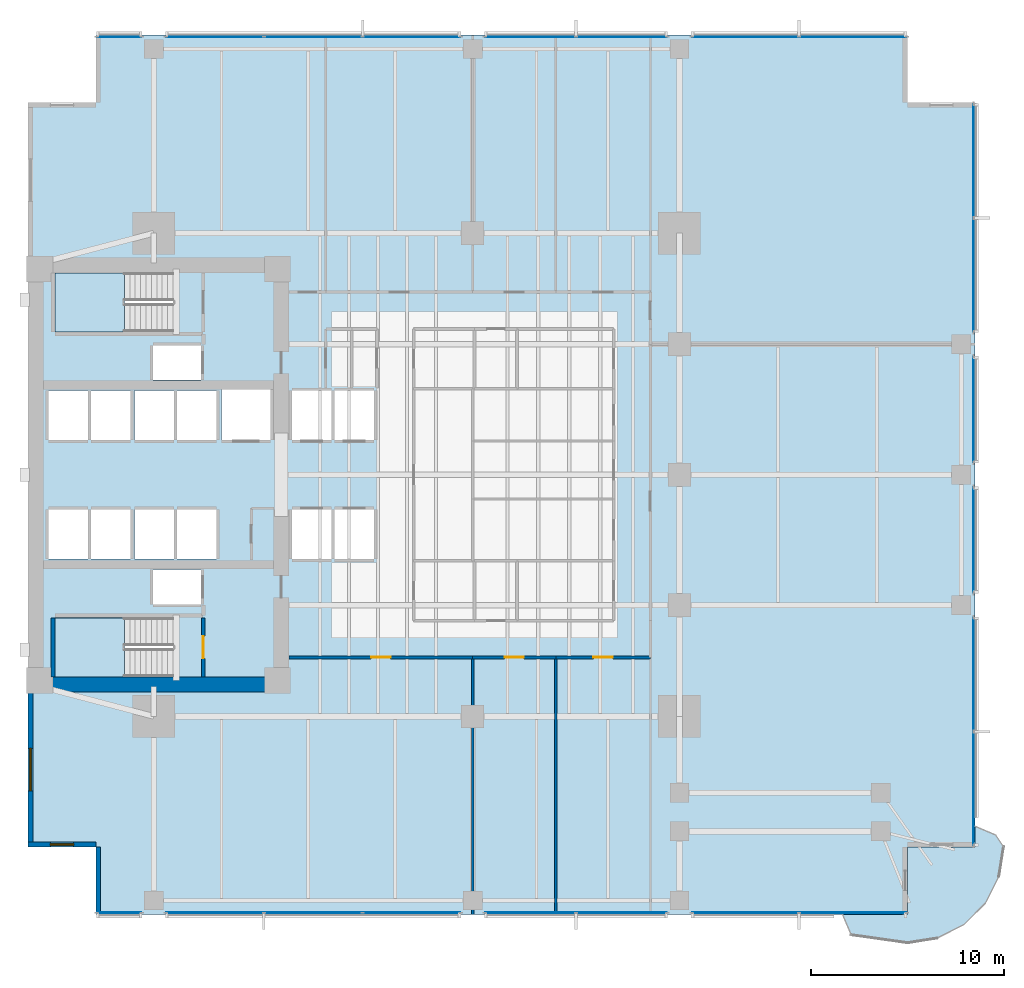
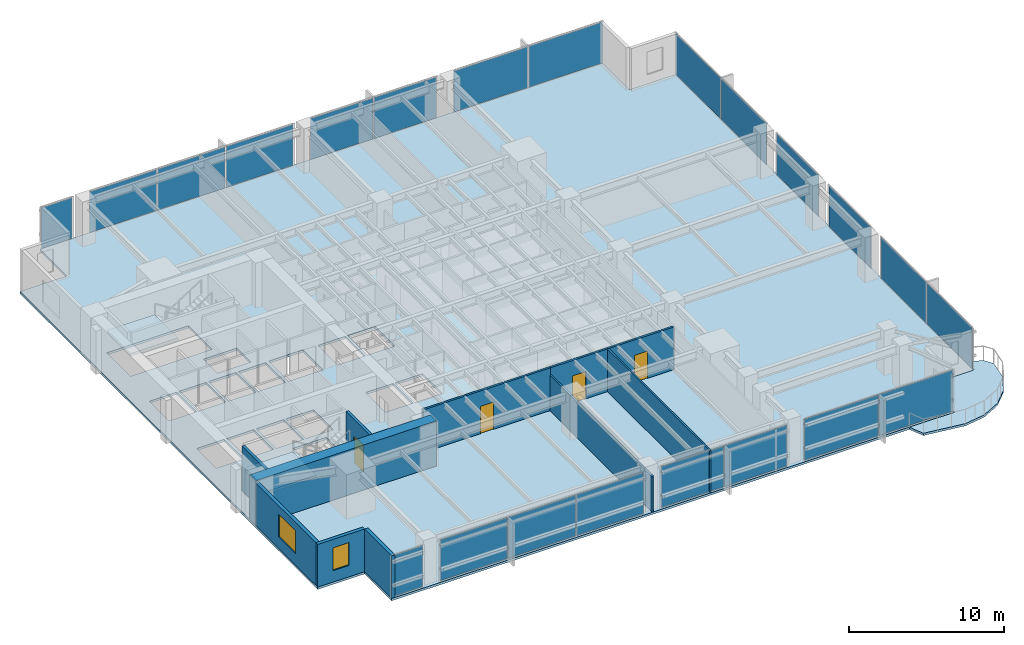
# One storey, part 7 of 15: 22 plates, 11 walls, 4 doors, 4 slabs, 2 windows, 6 openings, 14 elements without a shape of their own.
"""IFC4 building model written with IfcOpenShell, lengths in metres."""

from ifc_helpers import new_model, si_unit, direction, frame, frame_2d, origin, origin_2d, place, context, subcontext, project, spatial, polyline, rectangle, outline, extrude, material, layer, layer_set, type_object, element, fill, aggregate, save


model = new_model("IFC4")

# Units and contexts
model_context = context("Model", 3, precision=1e-05, world=origin(), true_north=direction((0.0, 1.0)))
body_context = subcontext(model_context, "Body", "Model", "MODEL_VIEW")
ifc_project = project(units=[si_unit("LENGTHUNIT", "METRE"), si_unit("AREAUNIT", "SQUARE_METRE"), si_unit("VOLUMEUNIT", "CUBIC_METRE"), si_unit("PLANEANGLEUNIT", "RADIAN"), si_unit("MASSUNIT", "GRAM", prefix="KILO")], contexts=[model_context])

# Site, building, storey
site_placement = place(None, origin())
site = spatial("IfcSite", under=ifc_project, at=site_placement, CompositionType="ELEMENT")
building_placement = place(site_placement, origin())
building = spatial("IfcBuilding", under=site, at=building_placement, Name="Kinhvarn Gate Tower", CompositionType="ELEMENT")
storey_placement = place(building_placement, frame((0.0, 0.0, 75.300048828125)))
storey = spatial("IfcBuildingStorey", under=building, at=storey_placement, Name="L19", CompositionType="ELEMENT", Elevation=75.300048828125)

# Curtain wall, plate
ifc_material_1 = material(Name="Anodised aluminium AW-6063", Category="aluminium")
ifc_layer_1 = layer(ifc_material_1, 0.179931640625)
ifc_layer_set_1 = layer_set([ifc_layer_1], Name="Anodised aluminium AW-6063")
curtain_wall_type = type_object("IfcCurtainWallType", Name="CW-SYS-2", PredefinedType="NOTDEFINED", material=ifc_layer_set_1)
curtain_wall_1_placement = place(storey_placement, origin())
curtain_wall_1 = element("IfcCurtainWall", 1, at=curtain_wall_1_placement, inside=storey, type_object=curtain_wall_type, Name="Curtain Wall CW2 (L19)", PredefinedType="NOTDEFINED")
ifc_material_2 = material(Name="Clear low-e double glazing", Category="glass")
ifc_layer_2 = layer(ifc_material_2, 0.031982421875)
ifc_layer_set_2 = layer_set([ifc_layer_2], Name="Clear low-e double glazing")
plate_type = type_object("IfcPlateType", Name="CW-PNL-VIS", PredefinedType="CURTAIN_PANEL", material=ifc_layer_set_2)
plate_1_placement = place(storey_placement, frame((9.2099609375, 2.590087890625, 0.070068359375), z_axis=(0.0, 0.0, 1.0), x_axis=(1.0, 0.0, 0.0)))
plate_1 = element("IfcPlate", 2, at=plate_1_placement, type_object=plate_type, Name="CW2 panel 1.1", PredefinedType="CURTAIN_PANEL", context=body_context, shape_type="SweptSolid", body=[
    extrude(rectangle(XDim=2.280029296875, YDim=0.031982421875, at=origin_2d()), origin(), (0.0, 0.0, 1.0), 3.22998046875),
])
aggregate(curtain_wall_1, [plate_1])

# Curtain wall, plates
curtain_wall_2_placement = place(storey_placement, origin())
curtain_wall_2 = element("IfcCurtainWall", 3, at=curtain_wall_2_placement, inside=storey, type_object=curtain_wall_type, Name="Curtain Wall CW2 (L19)", PredefinedType="NOTDEFINED")
plate_2_placement = place(storey_placement, frame((14.154052734375, 2.590087890625, 0.070068359375), z_axis=(0.0, 0.0, 1.0), x_axis=(1.0, 0.0, 0.0)))
plate_2 = element("IfcPlate", 4, at=plate_2_placement, type_object=plate_type, Name="CW2 panel 1.1", PredefinedType="CURTAIN_PANEL", context=body_context, shape_type="SweptSolid", body=[
    extrude(rectangle(XDim=5.00830078125, YDim=0.031982421875, at=origin_2d()), origin(), (0.0, 0.0, 1.0), 3.22998046875),
])
plate_3_placement = place(storey_placement, frame((19.25, 2.590087890625, 0.070068359375), z_axis=(0.0, 0.0, 1.0), x_axis=(1.0, 0.0, 0.0)))
plate_3 = element("IfcPlate", 5, at=plate_3_placement, type_object=plate_type, Name="CW2 panel 2.1", PredefinedType="CURTAIN_PANEL", context=body_context, shape_type="SweptSolid", body=[
    extrude(rectangle(XDim=5.043212890625, YDim=0.031982421875, at=origin_2d()), origin(), (0.0, 0.0, 1.0), 3.22998046875),
])
plate_4_placement = place(storey_placement, frame((24.345947265625, 2.590087890625, 0.070068359375), z_axis=(0.0, 0.0, 1.0), x_axis=(1.0, 0.0, 0.0)))
plate_4 = element("IfcPlate", 6, at=plate_4_placement, type_object=plate_type, Name="CW2 panel 3.1", PredefinedType="CURTAIN_PANEL", context=body_context, shape_type="SweptSolid", body=[
    extrude(rectangle(XDim=5.00830078125, YDim=0.031982421875, at=origin_2d()), origin(), (0.0, 0.0, 1.0), 3.22998046875),
])
aggregate(curtain_wall_2, [plate_2, plate_3, plate_4])

curtain_wall_3_placement = place(storey_placement, origin())
curtain_wall_3 = element("IfcCurtainWall", 7, at=curtain_wall_3_placement, inside=storey, type_object=curtain_wall_type, Name="Curtain Wall CW2 (L19)", PredefinedType="NOTDEFINED")
plate_5_placement = place(storey_placement, frame((30.482421875, 2.590087890625, 0.070068359375), z_axis=(0.0, 0.0, 1.0), x_axis=(1.0, 0.0, 0.0)))
plate_5 = element("IfcPlate", 8, at=plate_5_placement, type_object=plate_type, Name="CW2 panel 1.1", PredefinedType="CURTAIN_PANEL", context=body_context, shape_type="SweptSolid", body=[
    extrude(rectangle(XDim=4.6650390625, YDim=0.031982421875, at=origin_2d()), origin(), (0.0, 0.0, 1.0), 3.22998046875),
])
plate_6_placement = place(storey_placement, frame((35.217529296875, 2.590087890625, 0.070068359375), z_axis=(0.0, 0.0, 1.0), x_axis=(1.0, 0.0, 0.0)))
plate_6 = element("IfcPlate", 9, at=plate_6_placement, type_object=plate_type, Name="CW2 panel 2.1", PredefinedType="CURTAIN_PANEL", context=body_context, shape_type="SweptSolid", body=[
    extrude(rectangle(XDim=4.6650390625, YDim=0.031982421875, at=origin_2d()), origin(), (0.0, 0.0, 1.0), 3.22998046875),
])
aggregate(curtain_wall_3, [plate_5, plate_6])

curtain_wall_4_placement = place(storey_placement, origin())
curtain_wall_4 = element("IfcCurtainWall", 10, at=curtain_wall_4_placement, inside=storey, type_object=curtain_wall_type, Name="Curtain Wall CW2 (L19)", PredefinedType="NOTDEFINED")
plate_7_placement = place(storey_placement, frame((41.6025390625, 2.590087890625, 0.070068359375), z_axis=(0.0, 0.0, 1.0), x_axis=(1.0, 0.0, 0.0)))
plate_7 = element("IfcPlate", 11, at=plate_7_placement, type_object=plate_type, Name="CW2 panel 1.1", PredefinedType="CURTAIN_PANEL", context=body_context, shape_type="SweptSolid", body=[
    extrude(rectangle(XDim=5.5048828125, YDim=0.031982421875, at=origin_2d()), origin(), (0.0, 0.0, 1.0), 3.22998046875),
])
plate_8_placement = place(storey_placement, frame((47.177490234375, 2.590087890625, 0.070068359375), z_axis=(0.0, 0.0, 1.0), x_axis=(1.0, 0.0, 0.0)))
plate_8 = element("IfcPlate", 12, at=plate_8_placement, type_object=plate_type, Name="CW2 panel 2.1", PredefinedType="CURTAIN_PANEL", context=body_context, shape_type="SweptSolid", body=[
    extrude(rectangle(XDim=5.5048828125, YDim=0.031982421875, at=origin_2d()), origin(), (0.0, 0.0, 1.0), 3.22998046875),
])
aggregate(curtain_wall_4, [plate_7, plate_8])

curtain_wall_5_placement = place(storey_placement, origin())
curtain_wall_5 = element("IfcCurtainWall", 13, at=curtain_wall_5_placement, inside=storey, type_object=curtain_wall_type, Name="Curtain Wall CW2 (L19)", PredefinedType="NOTDEFINED")
plate_9_placement = place(storey_placement, frame((47.177490234375, 47.909912109375, 0.070068359375), z_axis=(0.0, 0.0, 1.0), x_axis=(-1.0, 0.0, 0.0)))
plate_9 = element("IfcPlate", 14, at=plate_9_placement, type_object=plate_type, Name="CW2 panel 1.1", PredefinedType="CURTAIN_PANEL", context=body_context, shape_type="SweptSolid", body=[
    extrude(rectangle(XDim=5.5048828125, YDim=0.031982421875, at=origin_2d()), origin(), (0.0, 0.0, 1.0), 3.22998046875),
])
plate_10_placement = place(storey_placement, frame((41.6025390625, 47.909912109375, 0.070068359375), z_axis=(0.0, 0.0, 1.0), x_axis=(-1.0, 0.0, 0.0)))
plate_10 = element("IfcPlate", 15, at=plate_10_placement, type_object=plate_type, Name="CW2 panel 2.1", PredefinedType="CURTAIN_PANEL", context=body_context, shape_type="SweptSolid", body=[
    extrude(rectangle(XDim=5.5048828125, YDim=0.031982421875, at=origin_2d()), origin(), (0.0, 0.0, 1.0), 3.22998046875),
])
aggregate(curtain_wall_5, [plate_9, plate_10])

curtain_wall_6_placement = place(storey_placement, origin())
curtain_wall_6 = element("IfcCurtainWall", 16, at=curtain_wall_6_placement, inside=storey, type_object=curtain_wall_type, Name="Curtain Wall CW2 (L19)", PredefinedType="NOTDEFINED")
plate_11_placement = place(storey_placement, frame((35.217529296875, 47.909912109375, 0.070068359375), z_axis=(0.0, 0.0, 1.0), x_axis=(-1.0, 0.0, 0.0)))
plate_11 = element("IfcPlate", 17, at=plate_11_placement, type_object=plate_type, Name="CW2 panel 1.1", PredefinedType="CURTAIN_PANEL", context=body_context, shape_type="SweptSolid", body=[
    extrude(rectangle(XDim=4.6650390625, YDim=0.031982421875, at=origin_2d()), origin(), (0.0, 0.0, 1.0), 3.22998046875),
])
plate_12_placement = place(storey_placement, frame((30.482421875, 47.909912109375, 0.070068359375), z_axis=(0.0, 0.0, 1.0), x_axis=(-1.0, 0.0, 0.0)))
plate_12 = element("IfcPlate", 18, at=plate_12_placement, type_object=plate_type, Name="CW2 panel 2.1", PredefinedType="CURTAIN_PANEL", context=body_context, shape_type="SweptSolid", body=[
    extrude(rectangle(XDim=4.6650390625, YDim=0.031982421875, at=origin_2d()), origin(), (0.0, 0.0, 1.0), 3.22998046875),
])
aggregate(curtain_wall_6, [plate_11, plate_12])

curtain_wall_7_placement = place(storey_placement, origin())
curtain_wall_7 = element("IfcCurtainWall", 19, at=curtain_wall_7_placement, inside=storey, type_object=curtain_wall_type, Name="Curtain Wall CW2 (L19)", PredefinedType="NOTDEFINED")
plate_13_placement = place(storey_placement, frame((24.345947265625, 47.909912109375, 0.070068359375), z_axis=(0.0, 0.0, 1.0), x_axis=(-1.0, 0.0, 0.0)))
plate_13 = element("IfcPlate", 20, at=plate_13_placement, type_object=plate_type, Name="CW2 panel 1.1", PredefinedType="CURTAIN_PANEL", context=body_context, shape_type="SweptSolid", body=[
    extrude(rectangle(XDim=5.00830078125, YDim=0.031982421875, at=origin_2d()), origin(), (0.0, 0.0, 1.0), 3.22998046875),
])
plate_14_placement = place(storey_placement, frame((19.25, 47.909912109375, 0.070068359375), z_axis=(0.0, 0.0, 1.0), x_axis=(-1.0, 0.0, 0.0)))
plate_14 = element("IfcPlate", 21, at=plate_14_placement, type_object=plate_type, Name="CW2 panel 2.1", PredefinedType="CURTAIN_PANEL", context=body_context, shape_type="SweptSolid", body=[
    extrude(rectangle(XDim=5.043212890625, YDim=0.031982421875, at=origin_2d()), origin(), (0.0, 0.0, 1.0), 3.22998046875),
])
plate_15_placement = place(storey_placement, frame((14.154052734375, 47.909912109375, 0.070068359375), z_axis=(0.0, 0.0, 1.0), x_axis=(-1.0, 0.0, 0.0)))
plate_15 = element("IfcPlate", 22, at=plate_15_placement, type_object=plate_type, Name="CW2 panel 3.1", PredefinedType="CURTAIN_PANEL", context=body_context, shape_type="SweptSolid", body=[
    extrude(rectangle(XDim=5.00830078125, YDim=0.031982421875, at=origin_2d()), origin(), (0.0, 0.0, 1.0), 3.22998046875),
])
aggregate(curtain_wall_7, [plate_13, plate_14, plate_15])

# Curtain wall, plate
curtain_wall_8_placement = place(storey_placement, origin())
curtain_wall_8 = element("IfcCurtainWall", 23, at=curtain_wall_8_placement, inside=storey, type_object=curtain_wall_type, Name="Curtain Wall CW2 (L19)", PredefinedType="NOTDEFINED")
plate_16_placement = place(storey_placement, frame((9.2099609375, 47.909912109375, 0.070068359375), z_axis=(0.0, 0.0, 1.0), x_axis=(-1.0, 0.0, 0.0)))
plate_16 = element("IfcPlate", 24, at=plate_16_placement, type_object=plate_type, Name="CW2 panel 1.1", PredefinedType="CURTAIN_PANEL", context=body_context, shape_type="SweptSolid", body=[
    extrude(rectangle(XDim=2.280029296875, YDim=0.031982421875, at=origin_2d()), origin(), (0.0, 0.0, 1.0), 3.22998046875),
])
aggregate(curtain_wall_8, [plate_16])

# Curtain wall, plates
curtain_wall_9_placement = place(storey_placement, origin())
curtain_wall_9 = element("IfcCurtainWall", 25, at=curtain_wall_9_placement, inside=storey, type_object=curtain_wall_type, Name="Curtain Wall CW2 (L19)", PredefinedType="NOTDEFINED")
plate_17_placement = place(storey_placement, frame((53.409912109375, 8.99755859375, 0.070068359375), z_axis=(0.0, 0.0, 1.0), x_axis=(0.0, 1.0, 0.0)))
plate_17 = element("IfcPlate", 26, at=plate_17_placement, type_object=plate_type, Name="CW2 panel 1.1", PredefinedType="CURTAIN_PANEL", context=body_context, shape_type="SweptSolid", body=[
    extrude(rectangle(XDim=5.85498046875, YDim=0.031982421875, at=origin_2d()), origin(), (0.0, 0.0, 1.0), 3.22998046875),
])
plate_18_placement = place(storey_placement, frame((53.409912109375, 14.922607421875, 0.070068359375), z_axis=(0.0, 0.0, 1.0), x_axis=(0.0, 1.0, 0.0)))
plate_18 = element("IfcPlate", 27, at=plate_18_placement, type_object=plate_type, Name="CW2 panel 2.1", PredefinedType="CURTAIN_PANEL", context=body_context, shape_type="SweptSolid", body=[
    extrude(rectangle(XDim=5.85498046875, YDim=0.031982421875, at=origin_2d()), origin(), (0.0, 0.0, 1.0), 3.22998046875),
])
aggregate(curtain_wall_9, [plate_17, plate_18])

# Curtain wall, plate
curtain_wall_10_placement = place(storey_placement, origin())
curtain_wall_10 = element("IfcCurtainWall", 28, at=curtain_wall_10_placement, inside=storey, type_object=curtain_wall_type, Name="Curtain Wall CW2 (L19)", PredefinedType="NOTDEFINED")
plate_19_placement = place(storey_placement, frame((53.409912109375, 21.875, 0.070068359375), z_axis=(0.0, 0.0, 1.0), x_axis=(0.0, 1.0, 0.0)))
plate_19 = element("IfcPlate", 29, at=plate_19_placement, type_object=plate_type, Name="CW2 panel 1.1", PredefinedType="CURTAIN_PANEL", context=body_context, shape_type="SweptSolid", body=[
    extrude(rectangle(XDim=5.449951171875, YDim=0.031982421875, at=origin_2d()), origin(), (0.0, 0.0, 1.0), 3.22998046875),
])
aggregate(curtain_wall_10, [plate_19])

curtain_wall_11_placement = place(storey_placement, origin())
curtain_wall_11 = element("IfcCurtainWall", 30, at=curtain_wall_11_placement, inside=storey, type_object=curtain_wall_type, Name="Curtain Wall CW2 (L19)", PredefinedType="NOTDEFINED")
plate_20_placement = place(storey_placement, frame((53.409912109375, 28.625, 0.070068359375), z_axis=(0.0, 0.0, 1.0), x_axis=(0.0, 1.0, 0.0)))
plate_20 = element("IfcPlate", 31, at=plate_20_placement, type_object=plate_type, Name="CW2 panel 1.1", PredefinedType="CURTAIN_PANEL", context=body_context, shape_type="SweptSolid", body=[
    extrude(rectangle(XDim=5.449951171875, YDim=0.031982421875, at=origin_2d()), origin(), (0.0, 0.0, 1.0), 3.22998046875),
])
aggregate(curtain_wall_11, [plate_20])

# Curtain wall, plates
curtain_wall_12_placement = place(storey_placement, origin())
curtain_wall_12 = element("IfcCurtainWall", 32, at=curtain_wall_12_placement, inside=storey, type_object=curtain_wall_type, Name="Curtain Wall CW2 (L19)", PredefinedType="NOTDEFINED")
plate_21_placement = place(storey_placement, frame((53.409912109375, 35.577392578125, 0.070068359375), z_axis=(0.0, 0.0, 1.0), x_axis=(0.0, 1.0, 0.0)))
plate_21 = element("IfcPlate", 33, at=plate_21_placement, type_object=plate_type, Name="CW2 panel 1.1", PredefinedType="CURTAIN_PANEL", context=body_context, shape_type="SweptSolid", body=[
    extrude(rectangle(XDim=5.85498046875, YDim=0.031982421875, at=origin_2d()), origin(), (0.0, 0.0, 1.0), 3.22998046875),
])
plate_22_placement = place(storey_placement, frame((53.409912109375, 41.50244140625, 0.070068359375), z_axis=(0.0, 0.0, 1.0), x_axis=(0.0, 1.0, 0.0)))
plate_22 = element("IfcPlate", 34, at=plate_22_placement, type_object=plate_type, Name="CW2 panel 2.1", PredefinedType="CURTAIN_PANEL", context=body_context, shape_type="SweptSolid", body=[
    extrude(rectangle(XDim=5.85498046875, YDim=0.031982421875, at=origin_2d()), origin(), (0.0, 0.0, 1.0), 3.22998046875),
])
aggregate(curtain_wall_12, [plate_21, plate_22])

# Slabs
ifc_material_3 = material(Name="Precast white architectural concrete C40/50", Category="concrete")
ifc_layer_3 = layer(ifc_material_3, 0.179931640625)
ifc_layer_set_3 = layer_set([ifc_layer_3], Name="Precast white architectural concrete C40/50")
slab_type_1 = type_object("IfcSlabType", Name="SLB-BAL-180", PredefinedType="FLOOR", material=ifc_layer_set_3)
slab_1_placement = place(storey_placement, frame((0.0, 0.0, -0.179931640625)))
element("IfcSlab", 35, at=slab_1_placement, inside=storey, type_object=slab_type_1, Name="S-Carve Curved Terrace Balcony Slab L19 (SE)", PredefinedType="FLOOR", context=body_context, shape_type="SweptSolid", body=[
    extrude(outline(polyline([(46.639892578125, 2.5), (47.090087890625, 1.443115234375), (50.0, 1.031982421875), (51.53515625, 1.275146484375), (52.920166015625, 1.980712890625), (54.019287109375, 3.079833984375), (54.724853515625, 4.46484375), (54.968017578125, 6.0), (54.556884765625, 6.614013671875), (53.5, 7.06396484375), (53.5, 6.0), (50.0, 6.0), (50.0, 2.5), (46.639892578125, 2.5)])), origin(), (0.0, 0.0, 1.0), 0.179931640625),
])
ifc_material_4 = material(Name="Concrete C40/50", Category="concrete")
ifc_layer_4 = layer(ifc_material_4, 0.179931640625)
ifc_layer_set_4 = layer_set([ifc_layer_4], Name="Concrete C40/50")
slab_type_2 = type_object("IfcSlabType", Name="SLB-FLR-180", PredefinedType="FLOOR", material=ifc_layer_set_4)
slab_2_placement = place(storey_placement, frame((0.0, 0.0, -0.179931640625)))
element("IfcSlab", 36, at=slab_2_placement, inside=storey, type_object=slab_type_2, Name="Suspended Floor Slab L19", PredefinedType="FLOOR", context=body_context, shape_type="SweptSolid", body=[
    extrude(outline(polyline([(8.0, 2.5), (50.0, 2.5), (50.0, 6.0), (53.5, 6.0), (53.5, 44.5), (50.0, 44.5), (50.0, 48.0), (8.0, 48.0), (8.0, 44.5), (4.5, 44.5), (4.5, 6.0), (8.0, 6.0), (8.0, 2.5)]), holes=[polyline([(5.89990234375, 14.800048828125), (12.0, 14.800048828125), (12.0, 17.85009765625), (5.89990234375, 17.85009765625), (5.89990234375, 14.800048828125)]), polyline([(5.89990234375, 32.64990234375), (12.0, 32.64990234375), (12.0, 35.699951171875), (5.89990234375, 35.699951171875), (5.89990234375, 32.64990234375)]), polyline([(18.14990234375, 20.89990234375), (20.199951171875, 20.89990234375), (20.199951171875, 23.449951171875), (18.14990234375, 23.449951171875), (18.14990234375, 20.89990234375)]), polyline([(20.35009765625, 20.89990234375), (22.39990234375, 20.89990234375), (22.39990234375, 23.449951171875), (20.35009765625, 23.449951171875), (20.35009765625, 20.89990234375)]), polyline([(18.14990234375, 27.050048828125), (20.199951171875, 27.050048828125), (20.199951171875, 29.60009765625), (18.14990234375, 29.60009765625), (18.14990234375, 27.050048828125)]), polyline([(20.35009765625, 27.050048828125), (22.39990234375, 27.050048828125), (22.39990234375, 29.60009765625), (20.35009765625, 29.60009765625), (20.35009765625, 27.050048828125)]), polyline([(5.550048828125, 20.89990234375), (7.60009765625, 20.89990234375), (7.60009765625, 23.449951171875), (5.550048828125, 23.449951171875), (5.550048828125, 20.89990234375)]), polyline([(7.75, 20.89990234375), (9.800048828125, 20.89990234375), (9.800048828125, 23.449951171875), (7.75, 23.449951171875), (7.75, 20.89990234375)]), polyline([(5.550048828125, 27.050048828125), (7.60009765625, 27.050048828125), (7.60009765625, 29.60009765625), (5.550048828125, 29.60009765625), (5.550048828125, 27.050048828125)]), polyline([(7.75, 27.050048828125), (9.800048828125, 27.050048828125), (9.800048828125, 29.60009765625), (7.75, 29.60009765625), (7.75, 27.050048828125)]), polyline([(10.0, 20.89990234375), (12.050048828125, 20.89990234375), (12.050048828125, 23.449951171875), (10.0, 23.449951171875), (10.0, 20.89990234375)]), polyline([(12.199951171875, 20.89990234375), (14.25, 20.89990234375), (14.25, 23.449951171875), (12.199951171875, 23.449951171875), (12.199951171875, 20.89990234375)]), polyline([(10.0, 27.050048828125), (12.050048828125, 27.050048828125), (12.050048828125, 29.60009765625), (10.0, 29.60009765625), (10.0, 27.050048828125)]), polyline([(12.199951171875, 27.050048828125), (14.25, 27.050048828125), (14.25, 29.60009765625), (12.199951171875, 29.60009765625), (12.199951171875, 27.050048828125)]), polyline([(14.5, 27.050048828125), (17.050048828125, 27.050048828125), (17.050048828125, 29.64990234375), (14.5, 29.64990234375), (14.5, 27.050048828125)]), polyline([(10.949951171875, 18.550048828125), (13.449951171875, 18.550048828125), (13.449951171875, 20.35009765625), (10.949951171875, 20.35009765625), (10.949951171875, 18.550048828125)]), polyline([(10.949951171875, 30.14990234375), (13.449951171875, 30.14990234375), (13.449951171875, 31.949951171875), (10.949951171875, 31.949951171875), (10.949951171875, 30.14990234375)])]), origin(), (0.0, 0.0, 1.0), 0.179931640625),
])

# Stair, slab
stair_type = type_object("IfcStairType", Name="STR-DLG-177", PredefinedType="HALF_TURN_STAIR", material=ifc_material_4)
stair_1_placement = place(storey_placement, origin())
stair_1 = element("IfcStair", 37, at=stair_1_placement, inside=storey, type_object=stair_type, Name="L19 Core Smokeproof Exit Stair ST1", PredefinedType="HALF_TURN_STAIR")
ifc_layer_5 = layer(ifc_material_4, 0.199951171875)
ifc_layer_set_5 = layer_set([ifc_layer_5], Name="Concrete C40/50")
slab_type_3 = type_object("IfcSlabType", Name="SLB-ST-LND", PredefinedType="LANDING", material=ifc_layer_set_5)
slab_3_placement = place(storey_placement, frame((0.0, 0.0, 1.574951171875)))
slab_3 = element("IfcSlab", 38, at=slab_3_placement, type_object=slab_type_3, Name="ST1 landing 1", PredefinedType="LANDING", context=body_context, shape_type="SweptSolid", body=[
    extrude(outline(polyline([(9.47998046875, 17.85009765625), (5.89990234375, 17.85009765625), (5.89990234375, 14.800048828125), (9.47998046875, 14.800048828125), (9.47998046875, 17.85009765625)])), origin(), (0.0, 0.0, 1.0), 0.199951171875),
])
aggregate(stair_1, [slab_3])

stair_2_placement = place(storey_placement, origin())
stair_2 = element("IfcStair", 39, at=stair_2_placement, inside=storey, type_object=stair_type, Name="L19 Core Smokeproof Exit Stair ST2", PredefinedType="HALF_TURN_STAIR")
slab_4_placement = place(storey_placement, frame((0.0, 0.0, 1.574951171875)))
slab_4 = element("IfcSlab", 40, at=slab_4_placement, type_object=slab_type_3, Name="ST2 landing 1", PredefinedType="LANDING", context=body_context, shape_type="SweptSolid", body=[
    extrude(outline(polyline([(9.47998046875, 35.699951171875), (5.89990234375, 35.699951171875), (5.89990234375, 32.64990234375), (9.47998046875, 32.64990234375), (9.47998046875, 35.699951171875)])), origin(), (0.0, 0.0, 1.0), 0.199951171875),
])
aggregate(stair_2, [slab_4])

# Wall
ifc_material_5 = material(Name="Concrete C70/85", Category="concrete")
ifc_layer_6 = layer(ifc_material_5, 0.800048828125)
ifc_layer_set_6 = layer_set([ifc_layer_6], Name="Concrete C70/85")
wall_type_1 = type_object("IfcWallType", Name="WL-CORE-800", PredefinedType="SHEAR", material=ifc_layer_set_6)
wall_1_placement = place(storey_placement, frame((4.5, 14.39990234375, 0.0), z_axis=(0.0, 0.0, 1.0), x_axis=(1.0, 0.0, 0.0)))
element("IfcWall", 41, at=wall_1_placement, inside=storey, type_object=wall_type_1, Name="Core South Shear Wall L19 800 mm", PredefinedType="SHEAR", context=body_context, shape_type="SweptSolid", body=[
    extrude(rectangle(XDim=13.5, YDim=0.800048828125, at=frame_2d((6.75, 0.0))), origin(), (0.0, 0.0, 1.0), 3.550048828125),
])

# Wall, opening, window
ifc_material_6 = material(Name="Fired architectural terracotta", Category="masonry")
ifc_layer_7 = layer(ifc_material_6, 0.25)
ifc_layer_set_7 = layer_set([ifc_layer_7], Name="Fired architectural terracotta")
wall_type_2 = type_object("IfcWallType", Name="WL-EXT-250", PredefinedType="SOLIDWALL", material=ifc_layer_set_7)
wall_2_placement = place(storey_placement, frame((4.625, 14.0, 0.0), z_axis=(0.0, 0.0, 1.0), x_axis=(0.0, -1.0, 0.0)))
wall_2 = element("IfcWall", 42, at=wall_2_placement, inside=storey, type_object=wall_type_2, Name="Exterior Solidwall Wall EW-250 (L19 West-South)", PredefinedType="SOLIDWALL", context=body_context, shape_type="SweptSolid", body=[
    extrude(rectangle(XDim=8.0, YDim=0.25, at=frame_2d((4.0, 0.0))), origin(), (0.0, 0.0, 1.0), 3.369873046875),
])
opening_1_placement = place(wall_2_placement, frame((2.89990234375, 0.0, 0.89990234375)))
opening_1 = element("IfcOpeningElement", 43, at=opening_1_placement, cuts=wall_2, Name="Opening WN-01", PredefinedType="OPENING", context=body_context, shape_type="SweptSolid", body=[
    extrude(rectangle(XDim=2.199951171875, YDim=1.800048828125, at=frame_2d((1.10009765625, 0.89990234375))), frame((0.0, 0.135009765625, 0.0), z_axis=(0.0, -1.0, 0.0), x_axis=(1.0, 0.0, 0.0)), (0.0, 0.0, 1.0), 0.27001953125),
])
window_type_1 = type_object("IfcWindowType", Name="WIN-RIB-2200", PartitioningType="SINGLE_PANEL", PredefinedType="WINDOW", material=ifc_material_2)
window_1_placement = place(opening_1_placement, origin())
window_1 = element("IfcWindow", 44, at=window_1_placement, inside=storey, type_object=window_type_1, Name="West Flank Double-Glazed Ribbon Window 2200x1800 mm (L19)", OverallHeight=1.800048828125, OverallWidth=2.199951171875, PartitioningType="SINGLE_PANEL", PredefinedType="WINDOW", context=body_context, shape_type="SweptSolid", body=[
    extrude(rectangle(XDim=2.199951171875, YDim=1.800048828125, at=frame_2d((1.10009765625, 0.89990234375))), frame((0.0, 0.030029296875, 0.0), z_axis=(0.0, -1.0, 0.0), x_axis=(1.0, 0.0, 0.0)), (0.0, 0.0, 1.0), 0.06005859375),
])
fill(opening_1, window_1)

wall_3_placement = place(storey_placement, frame((4.5, 6.125, 0.0), z_axis=(0.0, 0.0, 1.0), x_axis=(1.0, 0.0, 0.0)))
wall_3 = element("IfcWall", 45, at=wall_3_placement, inside=storey, type_object=wall_type_2, Name="Exterior Solidwall Wall EW-250 (L19 SW-Notch-1)", PredefinedType="SOLIDWALL", context=body_context, shape_type="SweptSolid", body=[
    extrude(rectangle(XDim=3.5, YDim=0.25, at=frame_2d((1.75, 0.0))), origin(), (0.0, 0.0, 1.0), 3.369873046875),
])
opening_2_placement = place(wall_3_placement, frame((1.14990234375, 0.0, 0.89990234375)))
opening_2 = element("IfcOpeningElement", 46, at=opening_2_placement, cuts=wall_3, Name="Opening WN-02", PredefinedType="OPENING", context=body_context, shape_type="SweptSolid", body=[
    extrude(rectangle(XDim=1.199951171875, YDim=1.800048828125, at=frame_2d((0.60009765625, 0.89990234375))), frame((0.0, 0.135009765625, 0.0), z_axis=(0.0, -1.0, 0.0), x_axis=(1.0, 0.0, 0.0)), (0.0, 0.0, 1.0), 0.27001953125),
])
window_type_2 = type_object("IfcWindowType", Name="WIN-NTC-1200", PartitioningType="SINGLE_PANEL", PredefinedType="WINDOW", material=ifc_material_2)
window_2_placement = place(opening_2_placement, origin())
window_2 = element("IfcWindow", 47, at=window_2_placement, inside=storey, type_object=window_type_2, Name="Recessed Corner Notch Punched Window 1200x1800 mm (L19)", OverallHeight=1.800048828125, OverallWidth=1.199951171875, PartitioningType="SINGLE_PANEL", PredefinedType="WINDOW", context=body_context, shape_type="SweptSolid", body=[
    extrude(rectangle(XDim=1.199951171875, YDim=1.800048828125, at=frame_2d((0.60009765625, 0.89990234375))), frame((0.0, 0.030029296875, 0.0), z_axis=(0.0, -1.0, 0.0), x_axis=(1.0, 0.0, 0.0)), (0.0, 0.0, 1.0), 0.06005859375),
])
fill(opening_2, window_2)

# Walls
wall_4_placement = place(storey_placement, frame((8.125, 6.0, 0.0), z_axis=(0.0, 0.0, 1.0), x_axis=(0.0, -1.0, 0.0)))
element("IfcWall", 48, at=wall_4_placement, inside=storey, type_object=wall_type_2, Name="Exterior Solidwall Wall EW-250 (L19 SW-Notch-2)", PredefinedType="SOLIDWALL", context=body_context, shape_type="SweptSolid", body=[
    extrude(rectangle(XDim=3.5, YDim=0.25, at=frame_2d((1.75, 0.0))), origin(), (0.0, 0.0, 1.0), 3.369873046875),
])
ifc_material_7 = material(Name="Gypsum acoustic partition board")
ifc_layer_8 = layer(ifc_material_7, 0.1201171875)
ifc_layer_set_8 = layer_set([ifc_layer_8], Name="Gypsum acoustic partition board")
wall_type_3 = type_object("IfcWallType", Name="WL-PRT-120", PredefinedType="PARTITIONING", material=ifc_layer_set_8)
wall_5_placement = place(storey_placement, frame((27.5, 2.510009765625, 0.0), z_axis=(0.0, 0.0, 1.0), x_axis=(0.0, 1.0, 0.0)))
element("IfcWall", 49, at=wall_5_placement, inside=storey, type_object=wall_type_3, Name="Interior Partition PW-120 (L19)", PredefinedType="PARTITIONING", context=body_context, shape_type="SweptSolid", body=[
    extrude(rectangle(XDim=13.2900390625, YDim=0.1201171875, at=frame_2d((6.64501953125, 0.0))), origin(), (0.0, 0.0, 1.0), 2.820068359375),
])
wall_6_placement = place(storey_placement, frame((31.800048828125, 2.510009765625, 0.0), z_axis=(0.0, 0.0, 1.0), x_axis=(0.0, 1.0, 0.0)))
element("IfcWall", 50, at=wall_6_placement, inside=storey, type_object=wall_type_3, Name="Interior Partition PW-120 (L19)", PredefinedType="PARTITIONING", context=body_context, shape_type="SweptSolid", body=[
    extrude(rectangle(XDim=13.2900390625, YDim=0.1201171875, at=frame_2d((6.64501953125, 0.0))), origin(), (0.0, 0.0, 1.0), 3.369873046875),
])

# Wall, opening, door
ifc_layer_9 = layer(ifc_material_7, 0.14990234375)
ifc_layer_set_9 = layer_set([ifc_layer_9], Name="Gypsum acoustic partition board")
wall_type_4 = type_object("IfcWallType", Name="WL-PRT-150F", PredefinedType="PARTITIONING", material=ifc_layer_set_9)
wall_7_placement = place(storey_placement, frame((18.0, 15.800048828125, 0.0), z_axis=(0.0, 0.0, 1.0), x_axis=(1.0, 0.0, 0.0)))
wall_7 = element("IfcWall", 51, at=wall_7_placement, inside=storey, type_object=wall_type_4, Name="Interior Partition PW-150F (L19)", PredefinedType="PARTITIONING", context=body_context, shape_type="SweptSolid", body=[
    extrude(rectangle(XDim=9.5, YDim=0.14990234375, at=frame_2d((4.75, 0.0))), origin(), (0.0, 0.0, 1.0), 3.369873046875),
])
opening_3_placement = place(wall_7_placement, frame((4.25, 0.0, 0.0)))
opening_3 = element("IfcOpeningElement", 52, at=opening_3_placement, cuts=wall_7, Name="Opening ID-02", PredefinedType="OPENING", context=body_context, shape_type="SweptSolid", body=[
    extrude(rectangle(XDim=1.0, YDim=2.14990234375, at=frame_2d((0.5, 1.074951171875))), frame((0.0, 0.0849609375, 0.0), z_axis=(0.0, -1.0, 0.0), x_axis=(1.0, 0.0, 0.0)), (0.0, 0.0, 1.0), 0.169921875),
])
door_type_1 = type_object("IfcDoorType", Name="DR-INT-1000", OperationType="NOTDEFINED", PredefinedType="DOOR", material=ifc_material_1)
door_1_placement = place(opening_3_placement, origin())
door_1 = element("IfcDoor", 53, at=door_1_placement, inside=storey, type_object=door_type_1, Name="Standard Office & Meeting Room Door 1000x2150 mm (L19)", OperationType="SINGLE_SWING_LEFT", OverallHeight=2.14990234375, OverallWidth=1.0, PredefinedType="DOOR", context=body_context, shape_type="SweptSolid", body=[
    extrude(rectangle(XDim=1.0, YDim=2.14990234375, at=frame_2d((0.5, 1.074951171875))), frame((0.0, 0.02490234375, 0.0), z_axis=(0.0, -1.0, 0.0), x_axis=(1.0, 0.0, 0.0)), (0.0, 0.0, 1.0), 0.050048828125),
])
fill(opening_3, door_1)

wall_8_placement = place(storey_placement, frame((27.5, 15.800048828125, 0.0), z_axis=(0.0, 0.0, 1.0), x_axis=(1.0, 0.0, 0.0)))
wall_8 = element("IfcWall", 54, at=wall_8_placement, inside=storey, type_object=wall_type_4, Name="Interior Partition PW-150F (L19)", PredefinedType="PARTITIONING", context=body_context, shape_type="SweptSolid", body=[
    extrude(rectangle(XDim=4.300048828125, YDim=0.14990234375, at=frame_2d((2.14990234375, 0.0))), origin(), (0.0, 0.0, 1.0), 3.369873046875),
])
opening_4_placement = place(wall_8_placement, frame((1.64990234375, 0.0, 0.0)))
opening_4 = element("IfcOpeningElement", 55, at=opening_4_placement, cuts=wall_8, Name="Opening ID-02", PredefinedType="OPENING", context=body_context, shape_type="SweptSolid", body=[
    extrude(rectangle(XDim=1.0, YDim=2.14990234375, at=frame_2d((0.5, 1.074951171875))), frame((0.0, 0.0849609375, 0.0), z_axis=(0.0, -1.0, 0.0), x_axis=(1.0, 0.0, 0.0)), (0.0, 0.0, 1.0), 0.169921875),
])
door_2_placement = place(opening_4_placement, origin())
door_2 = element("IfcDoor", 56, at=door_2_placement, inside=storey, type_object=door_type_1, Name="Standard Office & Meeting Room Door 1000x2150 mm (L19)", OperationType="SINGLE_SWING_RIGHT", OverallHeight=2.14990234375, OverallWidth=1.0, PredefinedType="DOOR", context=body_context, shape_type="SweptSolid", body=[
    extrude(rectangle(XDim=1.0, YDim=2.14990234375, at=frame_2d((0.5, 1.074951171875))), frame((0.0, 0.02490234375, 0.0), z_axis=(0.0, -1.0, 0.0), x_axis=(1.0, 0.0, 0.0)), (0.0, 0.0, 1.0), 0.050048828125),
])
fill(opening_4, door_2)

wall_9_placement = place(storey_placement, frame((31.800048828125, 15.800048828125, 0.0), z_axis=(0.0, 0.0, 1.0), x_axis=(1.0, 0.0, 0.0)))
wall_9 = element("IfcWall", 57, at=wall_9_placement, inside=storey, type_object=wall_type_4, Name="Interior Partition PW-150F (L19)", PredefinedType="PARTITIONING", context=body_context, shape_type="SweptSolid", body=[
    extrude(rectangle(XDim=4.89990234375, YDim=0.14990234375, at=frame_2d((2.449951171875, 0.0))), origin(), (0.0, 0.0, 1.0), 3.369873046875),
])
opening_5_placement = place(wall_9_placement, frame((1.949951171875, 0.0, 0.0)))
opening_5 = element("IfcOpeningElement", 58, at=opening_5_placement, cuts=wall_9, Name="Opening ID-02", PredefinedType="OPENING", context=body_context, shape_type="SweptSolid", body=[
    extrude(rectangle(XDim=1.0, YDim=2.14990234375, at=frame_2d((0.5, 1.074951171875))), frame((0.0, 0.0849609375, 0.0), z_axis=(0.0, -1.0, 0.0), x_axis=(1.0, 0.0, 0.0)), (0.0, 0.0, 1.0), 0.169921875),
])
door_3_placement = place(opening_5_placement, origin())
door_3 = element("IfcDoor", 59, at=door_3_placement, inside=storey, type_object=door_type_1, Name="Standard Office & Meeting Room Door 1000x2150 mm (L19)", OperationType="SINGLE_SWING_LEFT", OverallHeight=2.14990234375, OverallWidth=1.0, PredefinedType="DOOR", context=body_context, shape_type="SweptSolid", body=[
    extrude(rectangle(XDim=1.0, YDim=2.14990234375, at=frame_2d((0.5, 1.074951171875))), frame((0.0, 0.02490234375, 0.0), z_axis=(0.0, -1.0, 0.0), x_axis=(1.0, 0.0, 0.0)), (0.0, 0.0, 1.0), 0.050048828125),
])
fill(opening_5, door_3)

# Wall
ifc_layer_10 = layer(ifc_material_4, 0.199951171875)
ifc_layer_set_10 = layer_set([ifc_layer_10], Name="Concrete C40/50")
wall_type_5 = type_object("IfcWallType", Name="WL-SHF-200", PredefinedType="SOLIDWALL", material=ifc_layer_set_10)
wall_10_placement = place(storey_placement, frame((5.7900390625, 14.800048828125, 0.0), z_axis=(0.0, 0.0, 1.0), x_axis=(0.0, 1.0, 0.0)))
element("IfcWall", 60, at=wall_10_placement, inside=storey, type_object=wall_type_5, Name="Stair ST1 West Shaft Wall (L19)", PredefinedType="SOLIDWALL", context=body_context, shape_type="SweptSolid", body=[
    extrude(rectangle(XDim=3.050048828125, YDim=0.199951171875, at=frame_2d((1.52490234375, 0.0))), origin(), (0.0, 0.0, 1.0), 3.550048828125),
])

# Wall, opening, door
wall_11_placement = place(storey_placement, frame((13.56005859375, 14.800048828125, 0.0), z_axis=(0.0, 0.0, 1.0), x_axis=(0.0, 1.0, 0.0)))
wall_11 = element("IfcWall", 61, at=wall_11_placement, inside=storey, type_object=wall_type_5, Name="Stair ST1 East Entry Wall (L19)", PredefinedType="SOLIDWALL", context=body_context, shape_type="SweptSolid", body=[
    extrude(rectangle(XDim=3.050048828125, YDim=0.199951171875, at=frame_2d((1.52490234375, 0.0))), origin(), (0.0, 0.0, 1.0), 3.550048828125),
])
opening_6_placement = place(wall_11_placement, frame((0.949951171875, 0.0, 0.0)))
opening_6 = element("IfcOpeningElement", 62, at=opening_6_placement, cuts=wall_11, Name="Opening FD-01", PredefinedType="OPENING", context=body_context, shape_type="SweptSolid", body=[
    extrude(rectangle(XDim=1.14990234375, YDim=2.14990234375, at=frame_2d((0.574951171875, 1.074951171875))), frame((0.0, 0.10986328125, 0.0), z_axis=(0.0, -1.0, 0.0), x_axis=(1.0, 0.0, 0.0)), (0.0, 0.0, 1.0), 0.219970703125),
])
door_type_2 = type_object("IfcDoorType", Name="DR-ST-1150", OperationType="NOTDEFINED", PredefinedType="DOOR", material=ifc_material_1)
door_4_placement = place(opening_6_placement, origin())
door_4 = element("IfcDoor", 63, at=door_4_placement, inside=storey, type_object=door_type_2, Name="Exit Stair ST1 Fire Door (L19)", OperationType="SINGLE_SWING_LEFT", OverallHeight=2.14990234375, OverallWidth=1.14990234375, PredefinedType="DOOR", context=body_context, shape_type="SweptSolid", body=[
    extrude(rectangle(XDim=1.14990234375, YDim=2.14990234375, at=frame_2d((0.574951171875, 1.074951171875))), frame((0.0, 0.02490234375, 0.0), z_axis=(0.0, -1.0, 0.0), x_axis=(1.0, 0.0, 0.0)), (0.0, 0.0, 1.0), 0.050048828125),
])
fill(opening_6, door_4)

save(model, "model.ifc")
